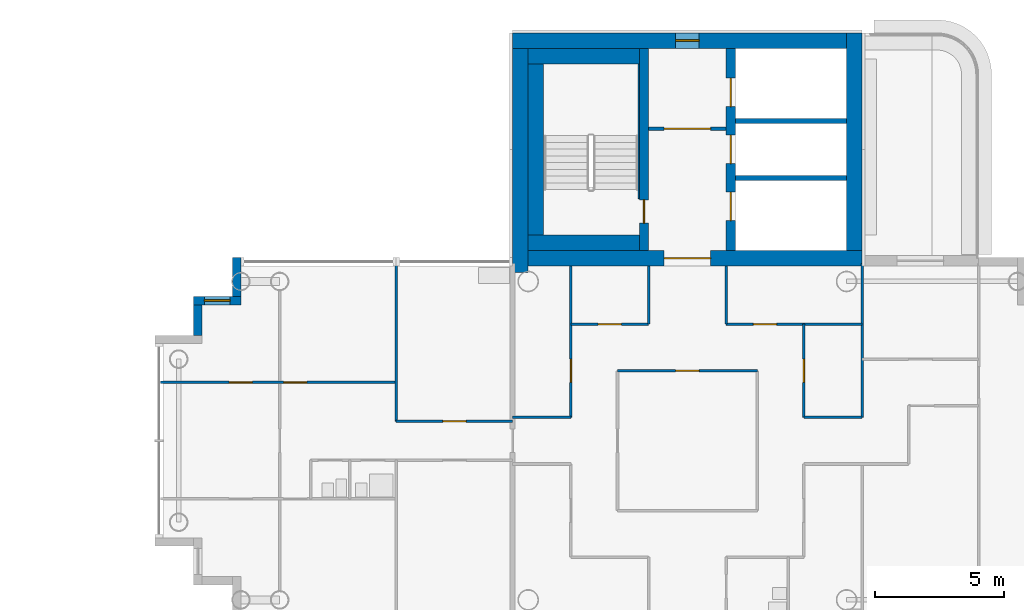
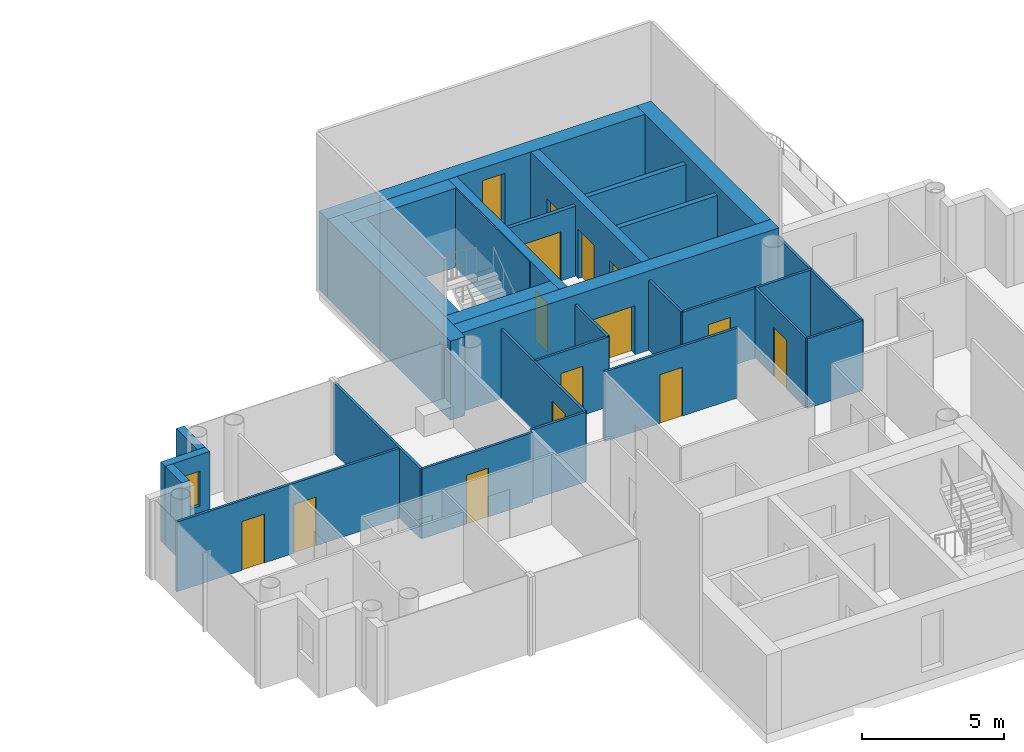
# One storey, part 10 of 18: 29 walls, 14 doors, 2 windows, 16 openings.
"""IFC4 building model written with IfcOpenShell, lengths in metres."""

from ifc_helpers import new_model, si_unit, direction, frame, frame_2d, origin, place, context, subcontext, project, spatial, rectangle, extrude, material, layer, layer_set, type_object, element, fill, save


model = new_model("IFC4")

# Units and contexts
model_context = context("Model", 3, precision=1e-05, world=origin(), true_north=direction((0.0, 1.0)))
body_context = subcontext(model_context, "Body", "Model", "MODEL_VIEW")
ifc_project = project(units=[si_unit("LENGTHUNIT", "METRE"), si_unit("AREAUNIT", "SQUARE_METRE"), si_unit("VOLUMEUNIT", "CUBIC_METRE"), si_unit("PLANEANGLEUNIT", "RADIAN"), si_unit("MASSUNIT", "GRAM", prefix="KILO")], contexts=[model_context])

# Site, building, storey
site_placement = place(None, origin())
site = spatial("IfcSite", under=ifc_project, at=site_placement, CompositionType="ELEMENT")
building_placement = place(site_placement, origin())
building = spatial("IfcBuilding", under=site, at=building_placement, Name="Ipe Terrace Towers", CompositionType="ELEMENT")
storey_placement = place(building_placement, frame((0.0, 0.0, 219.800048828125)))
storey = spatial("IfcBuildingStorey", under=building, at=storey_placement, Name="L61", CompositionType="ELEMENT", Elevation=219.800048828125)

# Wall
ifc_material_1 = material(Name="Concrete C40/50 with buff precast cladding", Category="concrete")
ifc_layer_1 = layer(ifc_material_1, 0.320068359375)
ifc_layer_set_1 = layer_set([ifc_layer_1], Name="BUFF CLADDING WALL 320")
wall_type_1 = type_object("IfcWallType", Name="BUFF CLADDING WALL 320", PredefinedType="STANDARD", material=ifc_layer_set_1)
wall_1_placement = place(storey_placement, frame((18.590087890625, 7.070068359375, -0.300048828125), z_axis=(0.0, 0.0, 1.0), x_axis=(0.0, -1.0, 0.0)))
element("IfcWall", 1, at=wall_1_placement, inside=storey, type_object=wall_type_1, Name="T2-W-L61-22a wall", PredefinedType="STANDARD", context=body_context, shape_type="SweptSolid", body=[
    extrude(rectangle(XDim=1.5, YDim=0.320068359375, at=frame_2d((0.75, 0.0))), origin(), (0.0, 0.0, 1.0), 3.39990234375),
])

# Wall, opening, window
wall_2_placement = place(storey_placement, frame((18.75, 5.409912109375, -0.300048828125), z_axis=(0.0, 0.0, 1.0), x_axis=(-1.0, 0.0, 0.0)))
wall_2 = element("IfcWall", 2, at=wall_2_placement, inside=storey, type_object=wall_type_1, Name="T2-W-L61-23a wall", PredefinedType="STANDARD", context=body_context, shape_type="SweptSolid", body=[
    extrude(rectangle(XDim=1.820068359375, YDim=0.320068359375, at=frame_2d((0.91015625, 0.0))), origin(), (0.0, 0.0, 1.0), 3.39990234375),
])
opening_1_placement = place(wall_2_placement, frame((0.409912109375, 0.0, 1.199951171875)))
opening_1 = element("IfcOpeningElement", 3, at=opening_1_placement, cuts=wall_2, Name="Opening T2-W-05-L61-02", PredefinedType="OPENING", context=body_context, shape_type="SweptSolid", body=[
    extrude(rectangle(XDim=1.0, YDim=1.5, at=frame_2d((0.5, 0.75))), frame((0.0, 0.169921875, 0.0), z_axis=(0.0, -1.0, 0.0), x_axis=(1.0, 0.0, 0.0)), (0.0, 0.0, 1.0), 0.340087890625),
])
ifc_material_2 = material(Name="Glass, clear laminated", Category="glass")
window_type_1 = type_object("IfcWindowType", Name="DWELLING WINDOW 1000 x 1500", PartitioningType="SINGLE_PANEL", PredefinedType="WINDOW", material=ifc_material_2)
window_1_placement = place(opening_1_placement, origin())
window_1 = element("IfcWindow", 4, at=window_1_placement, inside=storey, type_object=window_type_1, Name="W-05 window", OverallHeight=1.5, OverallWidth=1.0, PartitioningType="SINGLE_PANEL", PredefinedType="WINDOW", context=body_context, shape_type="SweptSolid", body=[
    extrude(rectangle(XDim=1.0, YDim=1.5, at=frame_2d((0.5, 0.75))), frame((0.0, 0.030029296875, 0.0), z_axis=(0.0, -1.0, 0.0), x_axis=(1.0, 0.0, 0.0)), (0.0, 0.0, 1.0), 0.06005859375),
])
fill(opening_1, window_1)

# Wall
wall_3_placement = place(storey_placement, frame((17.090087890625, 5.25, -0.300048828125), z_axis=(0.0, 0.0, 1.0), x_axis=(0.0, -1.0, 0.0)))
element("IfcWall", 5, at=wall_3_placement, inside=storey, type_object=wall_type_1, Name="T2-W-L61-24a wall", PredefinedType="STANDARD", context=body_context, shape_type="SweptSolid", body=[
    extrude(rectangle(XDim=1.179931640625, YDim=0.320068359375, at=frame_2d((0.58984375, 0.0))), origin(), (0.0, 0.0, 1.0), 3.39990234375),
])

# Wall, opening, door
ifc_material_3 = material(Name="Gypsum board partition", Category="plasterboard")
ifc_layer_2 = layer(ifc_material_3, 0.10009765625)
ifc_layer_set_2 = layer_set([ifc_layer_2], Name="Gypsum board partition 100 mm")
wall_type_2 = type_object("IfcWallType", Name="Gypsum board partition 100 mm", PredefinedType="PARTITIONING", material=ifc_layer_set_2)
wall_4_placement = place(storey_placement, frame((29.25, 0.75, 0.0), z_axis=(0.0, 0.0, 1.0), x_axis=(-1.0, 0.0, 0.0)))
wall_4 = element("IfcWall", 6, at=wall_4_placement, inside=storey, type_object=wall_type_2, Name="Gypsum board partition T2 L61 W08", PredefinedType="PARTITIONING", context=body_context, shape_type="SweptSolid", body=[
    extrude(rectangle(XDim=4.5, YDim=0.10009765625, at=frame_2d((2.25, 0.0))), origin(), (0.0, 0.0, 1.0), 3.0),
])
opening_2_placement = place(wall_4_placement, frame((1.800048828125, 0.0, 0.0)))
opening_2 = element("IfcOpeningElement", 7, at=opening_2_placement, cuts=wall_4, Name="Opening T2-Z4F-11", PredefinedType="OPENING", context=body_context, shape_type="SweptSolid", body=[
    extrude(rectangle(XDim=0.89990234375, YDim=2.10009765625, at=frame_2d((0.449951171875, 1.050048828125))), frame((0.0, 0.06005859375, 0.0), z_axis=(0.0, -1.0, 0.0), x_axis=(1.0, 0.0, 0.0)), (0.0, 0.0, 1.0), 0.1201171875),
])
ifc_material_4 = material(Name="Timber door leaf", Category="wood")
door_type_1 = type_object("IfcDoorType", Name="Lounge door 900 x 2100", OperationType="NOTDEFINED", PredefinedType="DOOR", material=ifc_material_4)
door_1_placement = place(opening_2_placement, origin())
door_1 = element("IfcDoor", 8, at=door_1_placement, inside=storey, type_object=door_type_1, Name="Lounge door T2-Z4F-11", OperationType="SINGLE_SWING_RIGHT", OverallHeight=2.10009765625, OverallWidth=0.89990234375, PredefinedType="DOOR", context=body_context, shape_type="SweptSolid", body=[
    extrude(rectangle(XDim=0.89990234375, YDim=2.10009765625, at=frame_2d((0.449951171875, 1.050048828125))), frame((0.0, 0.02490234375, 0.0), z_axis=(0.0, -1.0, 0.0), x_axis=(1.0, 0.0, 0.0)), (0.0, 0.0, 1.0), 0.050048828125),
])
fill(opening_2, door_1)

# Walls
for number, where, z_axis, x_axis, name in (
    (9, (42.75, 0.89990234375, 0.0), (0.0, 0.0, 1.0), (-1.0, 0.0, 0.0), "Gypsum board partition T2 L61 W09"),
    (10, (31.5, 0.89990234375, 0.0), (0.0, 0.0, 1.0), (-1.0, 0.0, 0.0), "Gypsum board partition T2 L61 W10"),
):
    element("IfcWall", number, at=place(storey_placement, frame(where, z_axis=z_axis, x_axis=x_axis)), inside=storey, type_object=wall_type_2, Name=name, PredefinedType="PARTITIONING", context=body_context, shape_type="SweptSolid", body=[
        extrude(rectangle(XDim=2.25, YDim=0.10009765625, at=frame_2d((1.125, 0.0))), origin(), (0.0, 0.0, 1.0), 3.0),
    ])

# Wall, openings, doors
wall_5_placement = place(storey_placement, frame((24.75, 2.25, 0.0), z_axis=(0.0, 0.0, 1.0), x_axis=(-1.0, 0.0, 0.0)))
wall_5 = element("IfcWall", 11, at=wall_5_placement, inside=storey, type_object=wall_type_2, Name="Gypsum board partition T2 L61 W12", PredefinedType="PARTITIONING", context=body_context, shape_type="SweptSolid", body=[
    extrude(rectangle(XDim=9.10009765625, YDim=0.10009765625, at=frame_2d((4.550048828125, 0.0))), origin(), (0.0, 0.0, 1.0), 3.0),
])
opening_3_placement = place(wall_5_placement, frame((3.449951171875, 0.0, 0.0)))
opening_3 = element("IfcOpeningElement", 12, at=opening_3_placement, cuts=wall_5, Name="Opening T2-Z4F-16", PredefinedType="OPENING", context=body_context, shape_type="SweptSolid", body=[
    extrude(rectangle(XDim=0.89990234375, YDim=2.10009765625, at=frame_2d((0.449951171875, 1.050048828125))), frame((0.0, 0.06005859375, 0.0), z_axis=(0.0, -1.0, 0.0), x_axis=(1.0, 0.0, 0.0)), (0.0, 0.0, 1.0), 0.1201171875),
])
opening_4_placement = place(wall_5_placement, frame((5.550048828125, 0.0, 0.0)))
opening_4 = element("IfcOpeningElement", 13, at=opening_4_placement, cuts=wall_5, Name="Opening T2-Z4F-19", PredefinedType="OPENING", context=body_context, shape_type="SweptSolid", body=[
    extrude(rectangle(XDim=0.89990234375, YDim=2.10009765625, at=frame_2d((0.449951171875, 1.050048828125))), frame((0.0, 0.06005859375, 0.0), z_axis=(0.0, -1.0, 0.0), x_axis=(1.0, 0.0, 0.0)), (0.0, 0.0, 1.0), 0.1201171875),
])
ifc_material_5 = material(Name="Timber door leaf", Category="wood")
door_type_2 = type_object("IfcDoorType", Name="Bedroom door 900 x 2100", OperationType="NOTDEFINED", PredefinedType="DOOR", material=ifc_material_5)
door_2_placement = place(opening_3_placement, origin())
door_2 = element("IfcDoor", 14, at=door_2_placement, inside=storey, type_object=door_type_2, Name="Bedroom door T2-Z4F-16", OperationType="SINGLE_SWING_LEFT", OverallHeight=2.10009765625, OverallWidth=0.89990234375, PredefinedType="DOOR", context=body_context, shape_type="SweptSolid", body=[
    extrude(rectangle(XDim=0.89990234375, YDim=2.10009765625, at=frame_2d((0.449951171875, 1.050048828125))), frame((0.0, 0.02490234375, 0.0), z_axis=(0.0, -1.0, 0.0), x_axis=(1.0, 0.0, 0.0)), (0.0, 0.0, 1.0), 0.050048828125),
])
fill(opening_3, door_2)
door_3_placement = place(opening_4_placement, origin())
door_3 = element("IfcDoor", 15, at=door_3_placement, inside=storey, type_object=door_type_2, Name="Bedroom door T2-Z4F-19", OperationType="SINGLE_SWING_RIGHT", OverallHeight=2.10009765625, OverallWidth=0.89990234375, PredefinedType="DOOR", context=body_context, shape_type="SweptSolid", body=[
    extrude(rectangle(XDim=0.89990234375, YDim=2.10009765625, at=frame_2d((0.449951171875, 1.050048828125))), frame((0.0, 0.02490234375, 0.0), z_axis=(0.0, -1.0, 0.0), x_axis=(1.0, 0.0, 0.0)), (0.0, 0.0, 1.0), 0.050048828125),
])
fill(opening_4, door_3)

# Wall, opening, door
wall_6_placement = place(storey_placement, frame((38.699951171875, 2.699951171875, 0.0), z_axis=(0.0, 0.0, 1.0), x_axis=(-1.0, 0.0, 0.0)))
wall_6 = element("IfcWall", 16, at=wall_6_placement, inside=storey, type_object=wall_type_2, Name="Gypsum board partition T2 L61 W13", PredefinedType="PARTITIONING", context=body_context, shape_type="SweptSolid", body=[
    extrude(rectangle(XDim=5.39990234375, YDim=0.10009765625, at=frame_2d((2.699951171875, 0.0))), origin(), (0.0, 0.0, 1.0), 3.0),
])
opening_5_placement = place(wall_6_placement, frame((2.25, 0.0, 0.0)))
opening_5 = element("IfcOpeningElement", 17, at=opening_5_placement, cuts=wall_6, Name="Opening T2-Z4F-02", PredefinedType="OPENING", context=body_context, shape_type="SweptSolid", body=[
    extrude(rectangle(XDim=0.89990234375, YDim=2.10009765625, at=frame_2d((0.449951171875, 1.050048828125))), frame((0.0, 0.06005859375, 0.0), z_axis=(0.0, -1.0, 0.0), x_axis=(1.0, 0.0, 0.0)), (0.0, 0.0, 1.0), 0.1201171875),
])
door_4_placement = place(opening_5_placement, origin())
door_4 = element("IfcDoor", 18, at=door_4_placement, inside=storey, type_object=door_type_1, Name="Lounge door T2-Z4F-02", OperationType="SINGLE_SWING_LEFT", OverallHeight=2.10009765625, OverallWidth=0.89990234375, PredefinedType="DOOR", context=body_context, shape_type="SweptSolid", body=[
    extrude(rectangle(XDim=0.89990234375, YDim=2.10009765625, at=frame_2d((0.449951171875, 1.050048828125))), frame((0.0, 0.02490234375, 0.0), z_axis=(0.0, -1.0, 0.0), x_axis=(1.0, 0.0, 0.0)), (0.0, 0.0, 1.0), 0.050048828125),
])
fill(opening_5, door_4)

wall_7_placement = place(storey_placement, frame((42.75, 4.5, 0.0), z_axis=(0.0, 0.0, 1.0), x_axis=(-1.0, 0.0, 0.0)))
wall_7 = element("IfcWall", 19, at=wall_7_placement, inside=storey, type_object=wall_type_2, Name="Gypsum board partition T2 L61 W15", PredefinedType="PARTITIONING", context=body_context, shape_type="SweptSolid", body=[
    extrude(rectangle(XDim=5.25, YDim=0.10009765625, at=frame_2d((2.625, 0.0))), origin(), (0.0, 0.0, 1.0), 3.0),
])
opening_6_placement = place(wall_7_placement, frame((3.300048828125, 0.0, 0.0)))
opening_6 = element("IfcOpeningElement", 20, at=opening_6_placement, cuts=wall_7, Name="Opening T2-Z4F-09", PredefinedType="OPENING", context=body_context, shape_type="SweptSolid", body=[
    extrude(rectangle(XDim=0.89990234375, YDim=2.10009765625, at=frame_2d((0.449951171875, 1.050048828125))), frame((0.0, 0.06005859375, 0.0), z_axis=(0.0, -1.0, 0.0), x_axis=(1.0, 0.0, 0.0)), (0.0, 0.0, 1.0), 0.1201171875),
])
door_5_placement = place(opening_6_placement, origin())
door_5 = element("IfcDoor", 21, at=door_5_placement, inside=storey, type_object=door_type_1, Name="Lounge door T2-Z4F-09", OperationType="SINGLE_SWING_RIGHT", OverallHeight=2.10009765625, OverallWidth=0.89990234375, PredefinedType="DOOR", context=body_context, shape_type="SweptSolid", body=[
    extrude(rectangle(XDim=0.89990234375, YDim=2.10009765625, at=frame_2d((0.449951171875, 1.050048828125))), frame((0.0, 0.02490234375, 0.0), z_axis=(0.0, -1.0, 0.0), x_axis=(1.0, 0.0, 0.0)), (0.0, 0.0, 1.0), 0.050048828125),
])
fill(opening_6, door_5)

wall_8_placement = place(storey_placement, frame((34.5, 4.5, 0.0), z_axis=(0.0, 0.0, 1.0), x_axis=(-1.0, 0.0, 0.0)))
wall_8 = element("IfcWall", 22, at=wall_8_placement, inside=storey, type_object=wall_type_2, Name="Gypsum board partition T2 L61 W16", PredefinedType="PARTITIONING", context=body_context, shape_type="SweptSolid", body=[
    extrude(rectangle(XDim=3.0, YDim=0.10009765625, at=frame_2d((1.5, 0.0))), origin(), (0.0, 0.0, 1.0), 3.0),
])
opening_7_placement = place(wall_8_placement, frame((1.050048828125, 0.0, 0.0)))
opening_7 = element("IfcOpeningElement", 23, at=opening_7_placement, cuts=wall_8, Name="Opening T2-Z4F-05", PredefinedType="OPENING", context=body_context, shape_type="SweptSolid", body=[
    extrude(rectangle(XDim=0.89990234375, YDim=2.10009765625, at=frame_2d((0.449951171875, 1.050048828125))), frame((0.0, 0.06005859375, 0.0), z_axis=(0.0, -1.0, 0.0), x_axis=(1.0, 0.0, 0.0)), (0.0, 0.0, 1.0), 0.1201171875),
])
door_6_placement = place(opening_7_placement, origin())
door_6 = element("IfcDoor", 24, at=door_6_placement, inside=storey, type_object=door_type_1, Name="Lounge door T2-Z4F-05", OperationType="SINGLE_SWING_RIGHT", OverallHeight=2.10009765625, OverallWidth=0.89990234375, PredefinedType="DOOR", context=body_context, shape_type="SweptSolid", body=[
    extrude(rectangle(XDim=0.89990234375, YDim=2.10009765625, at=frame_2d((0.449951171875, 1.050048828125))), frame((0.0, 0.02490234375, 0.0), z_axis=(0.0, -1.0, 0.0), x_axis=(1.0, 0.0, 0.0)), (0.0, 0.0, 1.0), 0.050048828125),
])
fill(opening_7, door_6)

# Wall
wall_9_placement = place(storey_placement, frame((42.75, 0.89990234375, 0.0), z_axis=(0.0, 0.0, 1.0), x_axis=(0.0, 1.0, 0.0)))
element("IfcWall", 25, at=wall_9_placement, inside=storey, type_object=wall_type_2, Name="Gypsum board partition T2 L61 W20", PredefinedType="PARTITIONING", context=body_context, shape_type="SweptSolid", body=[
    extrude(rectangle(XDim=5.9501953125, YDim=0.10009765625, at=frame_2d((2.97509765625, 0.0))), origin(), (0.0, 0.0, 1.0), 3.0),
])

# Wall, opening, door
wall_10_placement = place(storey_placement, frame((40.5, 0.89990234375, 0.0), z_axis=(0.0, 0.0, 1.0), x_axis=(0.0, 1.0, 0.0)))
wall_10 = element("IfcWall", 26, at=wall_10_placement, inside=storey, type_object=wall_type_2, Name="Gypsum board partition T2 L61 W22", PredefinedType="PARTITIONING", context=body_context, shape_type="SweptSolid", body=[
    extrude(rectangle(XDim=3.60009765625, YDim=0.10009765625, at=frame_2d((1.800048828125, 0.0))), origin(), (0.0, 0.0, 1.0), 3.0),
])
opening_8_placement = place(wall_10_placement, frame((1.35009765625, 0.0, 0.0)))
opening_8 = element("IfcOpeningElement", 27, at=opening_8_placement, cuts=wall_10, Name="Opening T2-Z4F-08", PredefinedType="OPENING", context=body_context, shape_type="SweptSolid", body=[
    extrude(rectangle(XDim=0.89990234375, YDim=2.10009765625, at=frame_2d((0.449951171875, 1.050048828125))), frame((0.0, 0.06005859375, 0.0), z_axis=(0.0, -1.0, 0.0), x_axis=(1.0, 0.0, 0.0)), (0.0, 0.0, 1.0), 0.1201171875),
])
door_7_placement = place(opening_8_placement, origin())
door_7 = element("IfcDoor", 28, at=door_7_placement, inside=storey, type_object=door_type_1, Name="Lounge door T2-Z4F-08", OperationType="SINGLE_SWING_RIGHT", OverallHeight=2.10009765625, OverallWidth=0.89990234375, PredefinedType="DOOR", context=body_context, shape_type="SweptSolid", body=[
    extrude(rectangle(XDim=0.89990234375, YDim=2.10009765625, at=frame_2d((0.449951171875, 1.050048828125))), frame((0.0, 0.02490234375, 0.0), z_axis=(0.0, -1.0, 0.0), x_axis=(1.0, 0.0, 0.0)), (0.0, 0.0, 1.0), 0.050048828125),
])
fill(opening_8, door_7)

# Walls
for number, where, z_axis, x_axis, name in (
    (29, (37.5, 4.5, 0.0), (0.0, 0.0, 1.0), (0.0, 1.0, 0.0), "Gypsum board partition T2 L61 W26"),
    (30, (34.5, 4.5, 0.0), (0.0, 0.0, 1.0), (0.0, 1.0, 0.0), "Gypsum board partition T2 L61 W28"),
):
    element("IfcWall", number, at=place(storey_placement, frame(where, z_axis=z_axis, x_axis=x_axis)), inside=storey, type_object=wall_type_2, Name=name, PredefinedType="PARTITIONING", context=body_context, shape_type="SweptSolid", body=[
        extrude(rectangle(XDim=2.25, YDim=0.10009765625, at=frame_2d((1.125, 0.0))), origin(), (0.0, 0.0, 1.0), 3.0),
    ])

# Wall, opening, door
wall_11_placement = place(storey_placement, frame((31.5, 0.89990234375, 0.0), z_axis=(0.0, 0.0, 1.0), x_axis=(0.0, 1.0, 0.0)))
wall_11 = element("IfcWall", 31, at=wall_11_placement, inside=storey, type_object=wall_type_2, Name="Gypsum board partition T2 L61 W31", PredefinedType="PARTITIONING", context=body_context, shape_type="SweptSolid", body=[
    extrude(rectangle(XDim=5.85009765625, YDim=0.10009765625, at=frame_2d((2.925048828125, 0.0))), origin(), (0.0, 0.0, 1.0), 3.0),
])
opening_9_placement = place(wall_11_placement, frame((1.35009765625, 0.0, 0.0)))
opening_9 = element("IfcOpeningElement", 32, at=opening_9_placement, cuts=wall_11, Name="Opening T2-Z4F-04", PredefinedType="OPENING", context=body_context, shape_type="SweptSolid", body=[
    extrude(rectangle(XDim=0.89990234375, YDim=2.10009765625, at=frame_2d((0.449951171875, 1.050048828125))), frame((0.0, 0.06005859375, 0.0), z_axis=(0.0, -1.0, 0.0), x_axis=(1.0, 0.0, 0.0)), (0.0, 0.0, 1.0), 0.1201171875),
])
door_8_placement = place(opening_9_placement, origin())
door_8 = element("IfcDoor", 33, at=door_8_placement, inside=storey, type_object=door_type_1, Name="Lounge door T2-Z4F-04", OperationType="SINGLE_SWING_RIGHT", OverallHeight=2.10009765625, OverallWidth=0.89990234375, PredefinedType="DOOR", context=body_context, shape_type="SweptSolid", body=[
    extrude(rectangle(XDim=0.89990234375, YDim=2.10009765625, at=frame_2d((0.449951171875, 1.050048828125))), frame((0.0, 0.02490234375, 0.0), z_axis=(0.0, -1.0, 0.0), x_axis=(1.0, 0.0, 0.0)), (0.0, 0.0, 1.0), 0.050048828125),
])
fill(opening_9, door_8)

# Wall
wall_12_placement = place(storey_placement, frame((24.75, 0.75, 0.0), z_axis=(0.0, 0.0, 1.0), x_axis=(0.0, 1.0, 0.0)))
element("IfcWall", 34, at=wall_12_placement, inside=storey, type_object=wall_type_2, Name="Gypsum board partition T2 L61 W34", PredefinedType="PARTITIONING", context=body_context, shape_type="SweptSolid", body=[
    extrude(rectangle(XDim=6.10009765625, YDim=0.10009765625, at=frame_2d((3.050048828125, 0.0))), origin(), (0.0, 0.0, 1.0), 3.0),
])

# Wall, opening, door
ifc_material_6 = material(Name="Gypsum board partition", Category="plasterboard")
ifc_layer_3 = layer(ifc_material_6, 0.14990234375)
ifc_layer_set_3 = layer_set([ifc_layer_3], Name="Gypsum board partition 150 mm")
wall_type_3 = type_object("IfcWallType", Name="Gypsum board partition 150 mm", PredefinedType="PARTITIONING", material=ifc_layer_set_3)
wall_13_placement = place(storey_placement, frame((37.5, 12.050048828125, 0.0), z_axis=(0.0, 0.0, 1.0), x_axis=(-1.0, 0.0, 0.0)))
wall_13 = element("IfcWall", 35, at=wall_13_placement, inside=storey, type_object=wall_type_3, Name="Gypsum board partition T2 L61 t2c1-lobby-wall", PredefinedType="PARTITIONING", context=body_context, shape_type="SweptSolid", body=[
    extrude(rectangle(XDim=3.0, YDim=0.14990234375, at=frame_2d((1.5, 0.0))), origin(), (0.0, 0.0, 1.0), 3.0),
])
opening_10_placement = place(wall_13_placement, frame((0.60009765625, 0.0, 0.0)))
opening_10 = element("IfcOpeningElement", 36, at=opening_10_placement, cuts=wall_13, Name="Opening T2C1-VD", PredefinedType="OPENING", context=body_context, shape_type="SweptSolid", body=[
    extrude(rectangle(XDim=1.800048828125, YDim=2.10009765625, at=frame_2d((0.89990234375, 1.050048828125))), frame((0.0, 0.0849609375, 0.0), z_axis=(0.0, -1.0, 0.0), x_axis=(1.0, 0.0, 0.0)), (0.0, 0.0, 1.0), 0.169921875),
])
ifc_material_7 = material(Name="Fire-rated timber door leaf", Category="wood")
door_type_3 = type_object("IfcDoorType", Name="Lobby door 1800 x 2100 FD60", OperationType="NOTDEFINED", PredefinedType="DOOR", material=ifc_material_7)
door_9_placement = place(opening_10_placement, origin())
door_9 = element("IfcDoor", 37, at=door_9_placement, inside=storey, type_object=door_type_3, Name="Lobby door T2C1-VD", OperationType="SINGLE_SWING_LEFT", OverallHeight=2.10009765625, OverallWidth=1.800048828125, PredefinedType="DOOR", context=body_context, shape_type="SweptSolid", body=[
    extrude(rectangle(XDim=1.800048828125, YDim=2.10009765625, at=frame_2d((0.89990234375, 1.050048828125))), frame((0.0, 0.02490234375, 0.0), z_axis=(0.0, -1.0, 0.0), x_axis=(1.0, 0.0, 0.0)), (0.0, 0.0, 1.0), 0.050048828125),
])
fill(opening_10, door_9)

# Walls
ifc_material_8 = material(Name="Gypsum board party wall", Category="plasterboard")
ifc_layer_4 = layer(ifc_material_8, 0.199951171875)
ifc_layer_set_4 = layer_set([ifc_layer_4], Name="Gypsum board party wall 200 mm")
wall_type_4 = type_object("IfcWallType", Name="Gypsum board party wall 200 mm", PredefinedType="SOLIDWALL", material=ifc_layer_set_4)
for number, where, z_axis, x_axis, name in (
    (38, (42.14990234375, 10.14990234375, 0.0), (0.0, 0.0, 1.0), (-1.0, 0.0, 0.0), "Gypsum board party wall T2 L61 t2c1-shaft-div1"),
    (39, (42.14990234375, 12.35009765625, 0.0), (0.0, 0.0, 1.0), (-1.0, 0.0, 0.0), "Gypsum board party wall T2 L61 t2c1-shaft-div2"),
):
    element("IfcWall", number, at=place(storey_placement, frame(where, z_axis=z_axis, x_axis=x_axis)), inside=storey, type_object=wall_type_4, Name=name, PredefinedType="SOLIDWALL", context=body_context, shape_type="SweptSolid", body=[
        extrude(rectangle(XDim=4.2998046875, YDim=0.199951171875, at=frame_2d((2.14990234375, 0.0))), origin(), (0.0, 0.0, 1.0), 3.0),
    ])

# Wall, opening, door
ifc_material_9 = material(Name="Concrete C40/50", Category="concrete")
ifc_layer_5 = layer(ifc_material_9, 0.35009765625)
ifc_layer_set_5 = layer_set([ifc_layer_5], Name="RW350 CORE SPINE WALL 350 C40-50")
wall_type_5 = type_object("IfcWallType", Name="RW350 CORE SPINE WALL 350 C40-50", PredefinedType="SHEAR", material=ifc_layer_set_5)
wall_14_placement = place(storey_placement, frame((34.324951171875, 7.35009765625, 0.0), z_axis=(0.0, 0.0, 1.0), x_axis=(0.0, 1.0, 0.0)))
wall_14 = element("IfcWall", 40, at=wall_14_placement, inside=storey, type_object=wall_type_5, Name="Core spine wall T2-C1-Z4-SW1", PredefinedType="SHEAR", context=body_context, shape_type="SweptSolid", body=[
    extrude(rectangle(XDim=7.7998046875, YDim=0.35009765625, at=frame_2d((3.89990234375, 0.0))), origin(), (0.0, 0.0, 1.0), 3.39990234375),
])
opening_11_placement = place(wall_14_placement, frame((1.050048828125, 0.0, 0.0)))
opening_11 = element("IfcOpeningElement", 41, at=opening_11_placement, cuts=wall_14, Name="Opening T2C1-SD", PredefinedType="OPENING", context=body_context, shape_type="SweptSolid", body=[
    extrude(rectangle(XDim=0.89990234375, YDim=2.10009765625, at=frame_2d((0.449951171875, 1.050048828125))), frame((0.0, 0.18505859375, 0.0), z_axis=(0.0, -1.0, 0.0), x_axis=(1.0, 0.0, 0.0)), (0.0, 0.0, 1.0), 0.3701171875),
])
ifc_material_10 = material(Name="Fire-rated timber door leaf", Category="wood")
door_type_4 = type_object("IfcDoorType", Name="Stair door 900 x 2100 FD60", OperationType="NOTDEFINED", PredefinedType="DOOR", material=ifc_material_10)
door_10_placement = place(opening_11_placement, origin())
door_10 = element("IfcDoor", 42, at=door_10_placement, inside=storey, type_object=door_type_4, Name="Stair door T2C1-SD", OperationType="SINGLE_SWING_LEFT", OverallHeight=2.10009765625, OverallWidth=0.89990234375, PredefinedType="DOOR", context=body_context, shape_type="SweptSolid", body=[
    extrude(rectangle(XDim=0.89990234375, YDim=2.10009765625, at=frame_2d((0.449951171875, 1.050048828125))), frame((0.0, 0.02490234375, 0.0), z_axis=(0.0, -1.0, 0.0), x_axis=(1.0, 0.0, 0.0)), (0.0, 0.0, 1.0), 0.050048828125),
])
fill(opening_11, door_10)

# Wall, openings, doors
wall_15_placement = place(storey_placement, frame((37.675048828125, 7.35009765625, 0.0), z_axis=(0.0, 0.0, 1.0), x_axis=(0.0, 1.0, 0.0)))
wall_15 = element("IfcWall", 43, at=wall_15_placement, inside=storey, type_object=wall_type_5, Name="Core spine wall T2-C1-Z4-SW2", PredefinedType="SHEAR", context=body_context, shape_type="SweptSolid", body=[
    extrude(rectangle(XDim=7.7998046875, YDim=0.35009765625, at=frame_2d((3.89990234375, 0.0))), origin(), (0.0, 0.0, 1.0), 3.39990234375),
])
opening_12_placement = place(wall_15_placement, frame((1.14990234375, 0.0, 0.0)))
opening_12 = element("IfcOpeningElement", 44, at=opening_12_placement, cuts=wall_15, Name="Opening T2C1-LD1", PredefinedType="OPENING", context=body_context, shape_type="SweptSolid", body=[
    extrude(rectangle(XDim=1.10009765625, YDim=2.10009765625, at=frame_2d((0.550048828125, 1.050048828125))), frame((0.0, 0.18505859375, 0.0), z_axis=(0.0, -1.0, 0.0), x_axis=(1.0, 0.0, 0.0)), (0.0, 0.0, 1.0), 0.3701171875),
])
opening_13_placement = place(wall_15_placement, frame((3.35009765625, 0.0, 0.0)))
opening_13 = element("IfcOpeningElement", 45, at=opening_13_placement, cuts=wall_15, Name="Opening T2C1-LD2", PredefinedType="OPENING", context=body_context, shape_type="SweptSolid", body=[
    extrude(rectangle(XDim=1.10009765625, YDim=2.10009765625, at=frame_2d((0.550048828125, 1.050048828125))), frame((0.0, 0.18505859375, 0.0), z_axis=(0.0, -1.0, 0.0), x_axis=(1.0, 0.0, 0.0)), (0.0, 0.0, 1.0), 0.3701171875),
])
opening_14_placement = place(wall_15_placement, frame((5.550048828125, 0.0, 0.0)))
opening_14 = element("IfcOpeningElement", 46, at=opening_14_placement, cuts=wall_15, Name="Opening T2C1-LD3", PredefinedType="OPENING", context=body_context, shape_type="SweptSolid", body=[
    extrude(rectangle(XDim=1.10009765625, YDim=2.10009765625, at=frame_2d((0.550048828125, 1.050048828125))), frame((0.0, 0.18505859375, 0.0), z_axis=(0.0, -1.0, 0.0), x_axis=(1.0, 0.0, 0.0)), (0.0, 0.0, 1.0), 0.3701171875),
])
ifc_material_11 = material(Name="Fire-rated timber door leaf", Category="wood")
door_type_5 = type_object("IfcDoorType", Name="Sliding door 1100 x 2100 FD60", OperationType="SLIDING_TO_LEFT", PredefinedType="DOOR", material=ifc_material_11)
door_11_placement = place(opening_12_placement, origin())
door_11 = element("IfcDoor", 47, at=door_11_placement, inside=storey, type_object=door_type_5, Name="Sliding door T2C1-LD1", OperationType="SLIDING_TO_LEFT", OverallHeight=2.10009765625, OverallWidth=1.10009765625, PredefinedType="DOOR", context=body_context, shape_type="SweptSolid", body=[
    extrude(rectangle(XDim=1.10009765625, YDim=2.10009765625, at=frame_2d((0.550048828125, 1.050048828125))), frame((0.0, 0.02490234375, 0.0), z_axis=(0.0, -1.0, 0.0), x_axis=(1.0, 0.0, 0.0)), (0.0, 0.0, 1.0), 0.050048828125),
])
fill(opening_12, door_11)
door_12_placement = place(opening_13_placement, origin())
door_12 = element("IfcDoor", 48, at=door_12_placement, inside=storey, type_object=door_type_5, Name="Sliding door T2C1-LD2", OperationType="SLIDING_TO_LEFT", OverallHeight=2.10009765625, OverallWidth=1.10009765625, PredefinedType="DOOR", context=body_context, shape_type="SweptSolid", body=[
    extrude(rectangle(XDim=1.10009765625, YDim=2.10009765625, at=frame_2d((0.550048828125, 1.050048828125))), frame((0.0, 0.02490234375, 0.0), z_axis=(0.0, -1.0, 0.0), x_axis=(1.0, 0.0, 0.0)), (0.0, 0.0, 1.0), 0.050048828125),
])
fill(opening_13, door_12)
door_13_placement = place(opening_14_placement, origin())
door_13 = element("IfcDoor", 49, at=door_13_placement, inside=storey, type_object=door_type_5, Name="Sliding door T2C1-LD3", OperationType="SLIDING_TO_LEFT", OverallHeight=2.10009765625, OverallWidth=1.10009765625, PredefinedType="DOOR", context=body_context, shape_type="SweptSolid", body=[
    extrude(rectangle(XDim=1.10009765625, YDim=2.10009765625, at=frame_2d((0.550048828125, 1.050048828125))), frame((0.0, 0.02490234375, 0.0), z_axis=(0.0, -1.0, 0.0), x_axis=(1.0, 0.0, 0.0)), (0.0, 0.0, 1.0), 0.050048828125),
])
fill(opening_14, door_13)

# Walls
ifc_material_12 = material(Name="Concrete C40/50", Category="concrete")
ifc_layer_6 = layer(ifc_material_12, 0.050048828125)
ifc_layer_set_6 = layer_set([ifc_layer_6], Name="RW50 CORE INFILL WALL 50 C40-50")
wall_type_6 = type_object("IfcWallType", Name="RW50 CORE INFILL WALL 50 C40-50", PredefinedType="SHEAR", material=ifc_layer_set_6)
wall_16_placement = place(storey_placement, frame((34.125, 9.35009765625, 0.0), z_axis=(0.0, 0.0, 1.0), x_axis=(0.0, 1.0, 0.0)))
element("IfcWall", 50, at=wall_16_placement, inside=storey, type_object=wall_type_6, Name="Core infill wall T2-C1-spine-b", PredefinedType="SHEAR", context=body_context, shape_type="SweptSolid", body=[
    extrude(rectangle(XDim=5.199951171875, YDim=0.050048828125, at=frame_2d((2.60009765625, 0.0))), origin(), (0.0, 0.0, 1.0), 3.39990234375),
])
ifc_material_13 = material(Name="Concrete C40/50", Category="concrete")
ifc_layer_7 = layer(ifc_material_13, 0.60009765625)
ifc_layer_set_7 = layer_set([ifc_layer_7], Name="RW600 CORE INFILL WALL 600 C40-50")
wall_type_7 = type_object("IfcWallType", Name="RW600 CORE INFILL WALL 600 C40-50", PredefinedType="SHEAR", material=ifc_layer_set_7)
wall_17_placement = place(storey_placement, frame((34.14990234375, 14.85009765625, 0.0), z_axis=(0.0, 0.0, 1.0), x_axis=(-1.0, 0.0, 0.0)))
element("IfcWall", 51, at=wall_17_placement, inside=storey, type_object=wall_type_7, Name="Core infill wall T2-C1-far", PredefinedType="SHEAR", context=body_context, shape_type="SweptSolid", body=[
    extrude(rectangle(XDim=4.2998046875, YDim=0.60009765625, at=frame_2d((2.14990234375, 0.0))), origin(), (0.0, 0.0, 1.0), 3.39990234375),
])
wall_18_placement = place(storey_placement, frame((30.14990234375, 7.949951171875, 0.0), z_axis=(0.0, 0.0, 1.0), x_axis=(0.0, 1.0, 0.0)))
element("IfcWall", 52, at=wall_18_placement, inside=storey, type_object=wall_type_7, Name="Core infill wall T2-C1-back", PredefinedType="SHEAR", context=body_context, shape_type="SweptSolid", body=[
    extrude(rectangle(XDim=6.60009765625, YDim=0.60009765625, at=frame_2d((3.300048828125, 0.0))), origin(), (0.0, 0.0, 1.0), 3.39990234375),
])
wall_19_placement = place(storey_placement, frame((34.14990234375, 7.64990234375, 0.0), z_axis=(0.0, 0.0, 1.0), x_axis=(-1.0, 0.0, 0.0)))
element("IfcWall", 53, at=wall_19_placement, inside=storey, type_object=wall_type_7, Name="Core infill wall T2-C1-near", PredefinedType="SHEAR", context=body_context, shape_type="SweptSolid", body=[
    extrude(rectangle(XDim=4.2998046875, YDim=0.60009765625, at=frame_2d((2.14990234375, 0.0))), origin(), (0.0, 0.0, 1.0), 3.39990234375),
])

# Wall, opening, door
ifc_material_14 = material(Name="Concrete C40/50", Category="concrete")
ifc_layer_8 = layer(ifc_material_14, 0.60009765625)
ifc_layer_set_8 = layer_set([ifc_layer_8], Name="RW600 CORE WALL 600 C40-50")
wall_type_8 = type_object("IfcWallType", Name="RW600 CORE WALL 600 C40-50", PredefinedType="SHEAR", material=ifc_layer_set_8)
wall_20_placement = place(storey_placement, frame((29.85009765625, 7.050048828125, 0.0), z_axis=(0.0, 0.0, 1.0), x_axis=(1.0, 0.0, 0.0)))
wall_20 = element("IfcWall", 54, at=wall_20_placement, inside=storey, type_object=wall_type_8, Name="Core wall T2-C1-Z4-W01", PredefinedType="SHEAR", context=body_context, shape_type="SweptSolid", body=[
    extrude(rectangle(XDim=12.89990234375, YDim=0.60009765625, at=frame_2d((6.449951171875, 0.0))), origin(), (0.0, 0.0, 1.0), 3.39990234375),
])
opening_15_placement = place(wall_20_placement, frame((5.25, 0.0, 0.0)))
opening_15 = element("IfcOpeningElement", 55, at=opening_15_placement, cuts=wall_20, Name="Opening T2C1-ND", PredefinedType="OPENING", context=body_context, shape_type="SweptSolid", body=[
    extrude(rectangle(XDim=1.800048828125, YDim=2.10009765625, at=frame_2d((0.89990234375, 1.050048828125))), frame((0.0, 0.31005859375, 0.0), z_axis=(0.0, -1.0, 0.0), x_axis=(1.0, 0.0, 0.0)), (0.0, 0.0, 1.0), 0.6201171875),
])
ifc_material_15 = material(Name="Fire-rated timber door leaf", Category="wood")
door_type_6 = type_object("IfcDoorType", Name="Fire door 1800 x 2100 FD30S", OperationType="NOTDEFINED", PredefinedType="DOOR", material=ifc_material_15)
door_14_placement = place(opening_15_placement, origin())
door_14 = element("IfcDoor", 56, at=door_14_placement, inside=storey, type_object=door_type_6, Name="Fire door T2C1-ND", OperationType="SINGLE_SWING_LEFT", OverallHeight=2.10009765625, OverallWidth=1.800048828125, PredefinedType="DOOR", context=body_context, shape_type="SweptSolid", body=[
    extrude(rectangle(XDim=1.800048828125, YDim=2.10009765625, at=frame_2d((0.89990234375, 1.050048828125))), frame((0.0, 0.02490234375, 0.0), z_axis=(0.0, -1.0, 0.0), x_axis=(1.0, 0.0, 0.0)), (0.0, 0.0, 1.0), 0.050048828125),
])
fill(opening_15, door_14)

# Wall
wall_21_placement = place(storey_placement, frame((42.449951171875, 7.35009765625, 0.0), z_axis=(0.0, 0.0, 1.0), x_axis=(0.0, 1.0, 0.0)))
element("IfcWall", 57, at=wall_21_placement, inside=storey, type_object=wall_type_8, Name="Core wall T2-C1-Z4-W02", PredefinedType="SHEAR", context=body_context, shape_type="SweptSolid", body=[
    extrude(rectangle(XDim=8.39990234375, YDim=0.60009765625, at=frame_2d((4.199951171875, 0.0))), origin(), (0.0, 0.0, 1.0), 3.39990234375),
])

# Wall, opening, window
wall_22_placement = place(storey_placement, frame((42.14990234375, 15.449951171875, 0.0), z_axis=(0.0, 0.0, 1.0), x_axis=(-1.0, 0.0, 0.0)))
wall_22 = element("IfcWall", 58, at=wall_22_placement, inside=storey, type_object=wall_type_8, Name="Core wall T2-C1-Z4-W03", PredefinedType="SHEAR", context=body_context, shape_type="SweptSolid", body=[
    extrude(rectangle(XDim=12.89990234375, YDim=0.60009765625, at=frame_2d((6.449951171875, 0.0))), origin(), (0.0, 0.0, 1.0), 3.39990234375),
])
opening_16_placement = place(wall_22_placement, frame((5.699951171875, 0.0, 0.449951171875)))
opening_16 = element("IfcOpeningElement", 59, at=opening_16_placement, cuts=wall_22, Name="Opening T2-C1-W-01-L61", PredefinedType="OPENING", context=body_context, shape_type="SweptSolid", body=[
    extrude(rectangle(XDim=0.89990234375, YDim=2.39990234375, at=frame_2d((0.449951171875, 1.199951171875))), frame((0.0, 0.31005859375, 0.0), z_axis=(0.0, -1.0, 0.0), x_axis=(1.0, 0.0, 0.0)), (0.0, 0.0, 1.0), 0.6201171875),
])
ifc_material_16 = material(Name="Fire-resistant glazing EI 60", Category="glass")
window_type_2 = type_object("IfcWindowType", Name="CORRIDOR END SLOT WINDOW 900 x 2400 EI 60", PartitioningType="SINGLE_PANEL", PredefinedType="WINDOW", material=ifc_material_16)
window_2_placement = place(opening_16_placement, origin())
window_2 = element("IfcWindow", 60, at=window_2_placement, inside=storey, type_object=window_type_2, Name="W-01 window", OverallHeight=2.39990234375, OverallWidth=0.89990234375, PartitioningType="SINGLE_PANEL", PredefinedType="WINDOW", context=body_context, shape_type="SweptSolid", body=[
    extrude(rectangle(XDim=0.89990234375, YDim=2.39990234375, at=frame_2d((0.449951171875, 1.199951171875))), frame((0.0, 0.030029296875, 0.0), z_axis=(0.0, -1.0, 0.0), x_axis=(1.0, 0.0, 0.0)), (0.0, 0.0, 1.0), 0.06005859375),
])
fill(opening_16, window_2)

# Wall
wall_23_placement = place(storey_placement, frame((29.550048828125, 15.14990234375, 0.0), z_axis=(0.0, 0.0, 1.0), x_axis=(0.0, -1.0, 0.0)))
element("IfcWall", 61, at=wall_23_placement, inside=storey, type_object=wall_type_8, Name="Core wall T2-C1-Z4-W04", PredefinedType="SHEAR", context=body_context, shape_type="SweptSolid", body=[
    extrude(rectangle(XDim=8.64794921875, YDim=0.60009765625, at=frame_2d((4.323974609375, 0.0))), origin(), (0.0, 0.0, 1.0), 3.39990234375),
])

save(model, "model.ifc")
